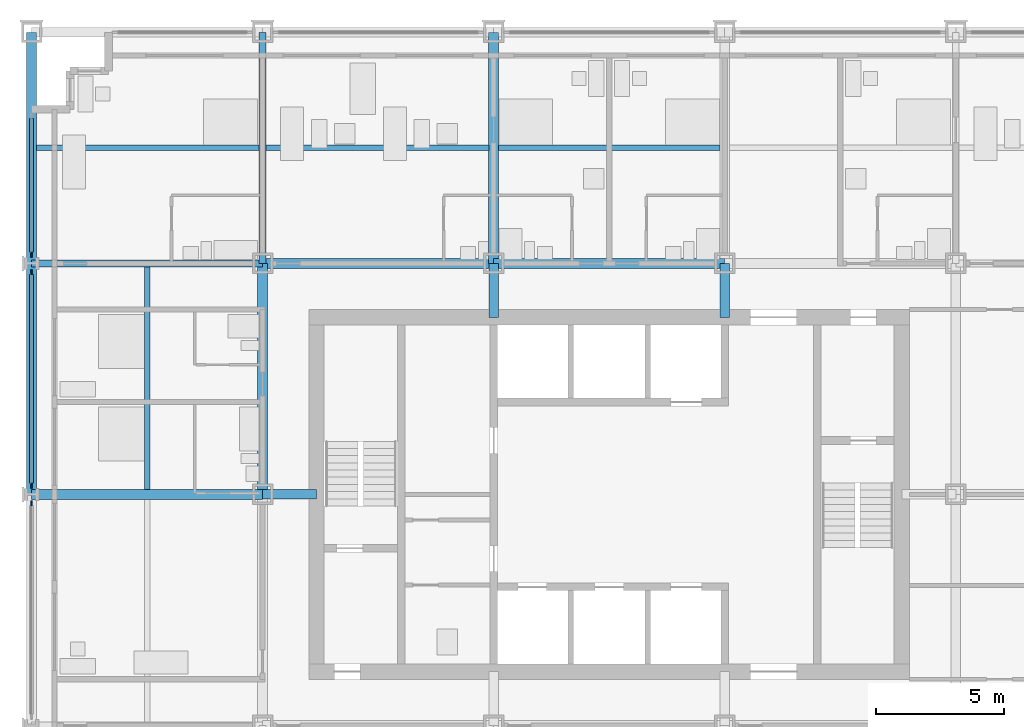
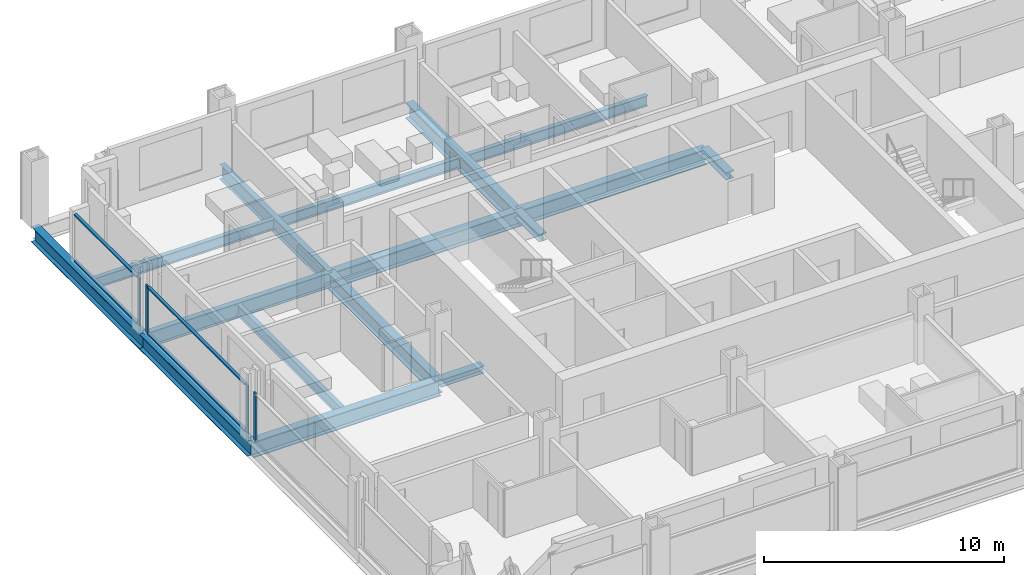
# One storey, part 4 of 18: 13 beams, 11 members, 3 elements without a shape of their own.
"""IFC4 building model written with IfcOpenShell, lengths in metres."""

from ifc_helpers import new_model, si_unit, direction, frame, origin, origin_2d, place, context, subcontext, project, spatial, rectangle, i_section, extrude, material, material_profile, profile_set, type_object, element, aggregate, save


model = new_model("IFC4")

# Units and contexts
model_context = context("Model", 3, precision=1e-05, world=origin(), true_north=direction((0.0, 1.0)))
body_context = subcontext(model_context, "Body", "Model", "MODEL_VIEW")
ifc_project = project(units=[si_unit("LENGTHUNIT", "METRE"), si_unit("AREAUNIT", "SQUARE_METRE"), si_unit("VOLUMEUNIT", "CUBIC_METRE"), si_unit("PLANEANGLEUNIT", "RADIAN"), si_unit("MASSUNIT", "GRAM", prefix="KILO")], contexts=[model_context])

# Site, building, storey
site_placement = place(None, origin())
site = spatial("IfcSite", under=ifc_project, at=site_placement, CompositionType="ELEMENT")
building_placement = place(site_placement, origin())
building = spatial("IfcBuilding", under=site, at=building_placement, Name="Loomwork Tower", CompositionType="ELEMENT")
storey_placement = place(building_placement, frame((0.0, 0.0, 48.39990234375)))
storey = spatial("IfcBuildingStorey", under=building, at=storey_placement, Name="L11", CompositionType="ELEMENT", Elevation=48.39990234375)

# Beams
ifc_material_1 = material(Name="Steel ASTM A992", Category="steel")
ifc_material_profile_1 = material_profile(ifc_material_1, i_section(OverallWidth=0.383544921875, OverallDepth=0.794921875, WebThickness=0.02099609375, FlangeThickness=0.0380859375, at=origin_2d()), Name="W30x235")
ifc_profile_set_1 = profile_set([ifc_material_profile_1], Name="Steel ASTM A992")
beam_type_1 = type_object("IfcBeamType", Name="CORE FLANK GIRDER W30x235", PredefinedType="BEAM", material=ifc_profile_set_1)
for number, where, z_axis, x_axis, name in (
    (1, (0.0, 18.0, -0.597412109375), (1.0, 0.0, 0.0), (0.0, 1.0, 0.0), "Core Flank Girder F/2-F/3 L11"),
    (2, (9.0, 27.0, -0.597412109375), (1.0, 0.0, 0.0), (0.0, 1.0, 0.0), "Core Flank Girder G/3-G/4 L11"),
    (3, (18.0, 27.0, -0.597412109375), (1.0, 0.0, 0.0), (0.0, 1.0, 0.0), "Core Flank Girder G/4-G/5 L11"),
    (4, (9.0, 18.0, -0.597412109375), (0.0, 1.0, 0.0), (-1.0, 0.0, 0.0), "Core Flank Girder F/3-G/3 L11"),
    (5, (18.0, 27.0, -0.597412109375), (0.0, 1.0, 0.0), (-1.0, 0.0, 0.0), "Core Flank Girder G/4-H/4 L11"),
):
    element("IfcBeam", number, at=place(storey_placement, frame(where, z_axis=z_axis, x_axis=x_axis)), inside=storey, type_object=beam_type_1, Name=name, PredefinedType="BEAM", context=body_context, shape_type="SweptSolid", body=[
        extrude(i_section(OverallWidth=0.383544921875, OverallDepth=0.794921875, WebThickness=0.02099609375, FlangeThickness=0.0380859375, at=origin_2d()), origin(), (0.0, 0.0, 1.0), 9.0),
    ])

# Members
ifc_material_2 = material(Name="Steel ASTM A992", Category="steel")
ifc_material_profile_2 = material_profile(ifc_material_2, i_section(OverallWidth=0.373291015625, OverallDepth=0.373291015625, WebThickness=0.016357421875, FlangeThickness=0.026123046875, at=origin_2d()), Name="W14x132")
ifc_profile_set_2 = profile_set([ifc_material_profile_2], Name="Steel ASTM A992")
member_type_1 = type_object("IfcMemberType", Name="CORE LINK STRUT W14x132", PredefinedType="STRUT", material=ifc_profile_set_2)
for number, where, z_axis, x_axis, name in (
    (6, (27.0, 27.0, -0.386474609375), (0.0, -1.0, 0.0), (1.0, 0.0, 0.0), "Core link strut G/5-27.000,24.900 L11"),
    (7, (18.0, 27.0, -0.386474609375), (0.0, -1.0, 0.0), (1.0, 0.0, 0.0), "Core link strut G/4-18.000,24.900 L11"),
    (8, (9.0, 18.0, -0.386474609375), (1.0, 0.0, 0.0), (0.0, 1.0, 0.0), "Core link strut F/3-11.100,18.000 L11"),
):
    element("IfcMember", number, at=place(storey_placement, frame(where, z_axis=z_axis, x_axis=x_axis)), inside=storey, type_object=member_type_1, Name=name, PredefinedType="STRUT", context=body_context, shape_type="SweptSolid", body=[
        extrude(i_section(OverallWidth=0.373291015625, OverallDepth=0.373291015625, WebThickness=0.016357421875, FlangeThickness=0.026123046875, at=origin_2d()), origin(), (0.0, 0.0, 1.0), 2.10009765625),
    ])

# Beams
ifc_material_3 = material(Name="Steel ASTM A992", Category="steel")
ifc_material_profile_3 = material_profile(ifc_material_3, i_section(OverallWidth=0.2666015625, OverallDepth=0.761962890625, WebThickness=0.014404296875, FlangeThickness=0.021484375, at=origin_2d()), Name="W30x116")
ifc_profile_set_3 = profile_set([ifc_material_profile_3], Name="Steel ASTM A992")
beam_type_2 = type_object("IfcBeamType", Name="FLOOR GIRDER W30x116", PredefinedType="BEAM", material=ifc_profile_set_3)
for number, where, z_axis, x_axis, name in (
    (9, (0.0, 27.0, -0.580810546875), (1.0, 0.0, 0.0), (0.0, 1.0, 0.0), "Floor Girder G/2-G/3 L11"),
    (10, (9.0, 27.0, -0.580810546875), (0.0, 1.0, 0.0), (-1.0, 0.0, 0.0), "Floor Girder G/3-H/3 L11"),
):
    element("IfcBeam", number, at=place(storey_placement, frame(where, z_axis=z_axis, x_axis=x_axis)), inside=storey, type_object=beam_type_2, Name=name, PredefinedType="BEAM", context=body_context, shape_type="SweptSolid", body=[
        extrude(i_section(OverallWidth=0.2666015625, OverallDepth=0.761962890625, WebThickness=0.014404296875, FlangeThickness=0.021484375, at=origin_2d()), origin(), (0.0, 0.0, 1.0), 9.0),
    ])
ifc_material_4 = material(Name="Steel ASTM A992", Category="steel")
ifc_material_profile_4 = material_profile(ifc_material_4, i_section(OverallWidth=0.2109375, OverallDepth=0.53857421875, WebThickness=0.011474609375, FlangeThickness=0.018798828125, at=origin_2d()), Name="W21x73")
ifc_profile_set_4 = profile_set([ifc_material_profile_4], Name="Steel ASTM A992")
beam_type_3 = type_object("IfcBeamType", Name="FLOOR JOIST W21x73", PredefinedType="JOIST", material=ifc_profile_set_4)
beam_1_placement = place(storey_placement, frame((4.5, 18.19091796875, -0.46923828125), z_axis=(0.0, 1.0, 0.0), x_axis=(-1.0, 0.0, 0.0)))
element("IfcBeam", 11, at=beam_1_placement, inside=storey, type_object=beam_type_3, Name="Floor Joist 4.500,18.000-4.500,27.000 L11", PredefinedType="JOIST", context=body_context, shape_type="SweptSolid", body=[
    extrude(i_section(OverallWidth=0.2109375, OverallDepth=0.53857421875, WebThickness=0.011474609375, FlangeThickness=0.018798828125, at=origin_2d()), origin(), (0.0, 0.0, 1.0), 8.676025390625),
])
beam_2_placement = place(storey_placement, frame((0.18994140625, 31.5, -0.46923828125), z_axis=(1.0, 0.0, 0.0), x_axis=(0.0, 1.0, 0.0)))
element("IfcBeam", 12, at=beam_2_placement, inside=storey, type_object=beam_type_3, Name="Floor Joist 0.000,31.500-9.000,31.500 L11", PredefinedType="JOIST", context=body_context, shape_type="SweptSolid", body=[
    extrude(i_section(OverallWidth=0.2109375, OverallDepth=0.53857421875, WebThickness=0.011474609375, FlangeThickness=0.018798828125, at=origin_2d()), origin(), (0.0, 0.0, 1.0), 8.677001953125),
])
beam_3_placement = place(storey_placement, frame((9.133056640625, 31.5, -0.46923828125), z_axis=(1.0, 0.0, 0.0), x_axis=(0.0, 1.0, 0.0)))
element("IfcBeam", 13, at=beam_3_placement, inside=storey, type_object=beam_type_3, Name="Floor Joist 9.000,31.500-18.000,31.500 L11", PredefinedType="JOIST", context=body_context, shape_type="SweptSolid", body=[
    extrude(i_section(OverallWidth=0.2109375, OverallDepth=0.53857421875, WebThickness=0.011474609375, FlangeThickness=0.018798828125, at=origin_2d()), origin(), (0.0, 0.0, 1.0), 8.676025390625),
])
beam_4_placement = place(storey_placement, frame((18.19091796875, 31.5, -0.46923828125), z_axis=(1.0, 0.0, 0.0), x_axis=(0.0, 1.0, 0.0)))
element("IfcBeam", 14, at=beam_4_placement, inside=storey, type_object=beam_type_3, Name="Floor Joist 18.000,31.500-27.000,31.500 L11", PredefinedType="JOIST", context=body_context, shape_type="SweptSolid", body=[
    extrude(i_section(OverallWidth=0.2109375, OverallDepth=0.53857421875, WebThickness=0.011474609375, FlangeThickness=0.018798828125, at=origin_2d()), origin(), (0.0, 0.0, 1.0), 8.6181640625),
])

# Curtain wall, member
ifc_material_5 = material(Name="Aluminium curtain wall frame", Category="aluminium")
curtain_wall_type = type_object("IfcCurtainWallType", Name="Outer skin glazing hotel", PredefinedType="NOTDEFINED", material=ifc_material_5)
curtain_wall_1_placement = place(storey_placement, origin())
curtain_wall_1 = element("IfcCurtainWall", 15, at=curtain_wall_1_placement, inside=storey, type_object=curtain_wall_type, Name="Outer skin glazing hotel cw/W-9", PredefinedType="NOTDEFINED")
ifc_material_6 = material(Name="Aluminium curtain wall frame", Category="aluminium")
ifc_material_profile_5 = material_profile(ifc_material_6, rectangle(XDim=0.06494140625, YDim=0.199951171875, at=origin_2d()), Name="AL 65x200")
ifc_profile_set_5 = profile_set([ifc_material_profile_5], Name="Aluminium curtain wall frame")
member_type_2 = type_object("IfcMemberType", Name="Outer skin glazing hotel mullion", PredefinedType="MULLION", material=ifc_profile_set_5)
member_1_placement = place(storey_placement, frame((0.0, 17.6611328125, 0.0), z_axis=(0.0, 0.0, 1.0), x_axis=(1.0, 0.0, 0.0)))
member_1 = element("IfcMember", 16, at=member_1_placement, type_object=member_type_2, Name="CW1 mullion 1", PredefinedType="MULLION", context=body_context, shape_type="SweptSolid", body=[
    extrude(rectangle(XDim=0.06494140625, YDim=0.199951171875, at=origin_2d()), origin(), (0.0, 0.0, 1.0), 2.42041015625),
])
aggregate(curtain_wall_1, [member_1])

# Curtain wall, members
curtain_wall_2_placement = place(storey_placement, origin())
curtain_wall_2 = element("IfcCurtainWall", 17, at=curtain_wall_2_placement, inside=storey, type_object=curtain_wall_type, Name="Outer skin glazing hotel cw/W-18", PredefinedType="NOTDEFINED")
member_2_placement = place(storey_placement, frame((0.0, 26.6611328125, 0.0), z_axis=(0.0, 0.0, 1.0), x_axis=(1.0, 0.0, 0.0)))
member_2 = element("IfcMember", 18, at=member_2_placement, type_object=member_type_2, Name="CW1 mullion 1", PredefinedType="MULLION", context=body_context, shape_type="SweptSolid", body=[
    extrude(rectangle(XDim=0.06494140625, YDim=0.199951171875, at=origin_2d()), origin(), (0.0, 0.0, 1.0), 2.42041015625),
])
member_3_placement = place(storey_placement, frame((0.0, 18.3388671875, 0.0), z_axis=(0.0, 0.0, 1.0), x_axis=(1.0, 0.0, 0.0)))
member_3 = element("IfcMember", 19, at=member_3_placement, type_object=member_type_2, Name="CW1 mullion 2", PredefinedType="MULLION", context=body_context, shape_type="SweptSolid", body=[
    extrude(rectangle(XDim=0.06494140625, YDim=0.199951171875, at=origin_2d()), origin(), (0.0, 0.0, 1.0), 2.42041015625),
])

# Curtain wall, member
curtain_wall_3_placement = place(storey_placement, origin())
curtain_wall_3 = element("IfcCurtainWall", 20, at=curtain_wall_3_placement, inside=storey, type_object=curtain_wall_type, Name="Outer skin glazing hotel cw/W-27", PredefinedType="NOTDEFINED")
member_4_placement = place(storey_placement, frame((0.0, 27.3388671875, 0.0), z_axis=(0.0, 0.0, 1.0), x_axis=(1.0, 0.0, 0.0)))
member_4 = element("IfcMember", 21, at=member_4_placement, type_object=member_type_2, Name="CW1 mullion 2", PredefinedType="MULLION", context=body_context, shape_type="SweptSolid", body=[
    extrude(rectangle(XDim=0.06494140625, YDim=0.199951171875, at=origin_2d()), origin(), (0.0, 0.0, 1.0), 2.42041015625),
])

# Member
ifc_material_7 = material(Name="Aluminium curtain wall frame", Category="aluminium")
ifc_material_profile_6 = material_profile(ifc_material_7, rectangle(XDim=0.14990234375, YDim=0.06494140625, at=origin_2d()), Name="AL 65x150")
ifc_profile_set_6 = profile_set([ifc_material_profile_6], Name="Aluminium curtain wall frame")
member_type_3 = type_object("IfcMemberType", Name="Outer skin glazing hotel transom", PredefinedType="USERDEFINED", material=ifc_profile_set_6)
member_5_placement = place(storey_placement, frame((0.0, 26.561279296875, 0.03271484375), z_axis=(0.0, -1.0, 0.0), x_axis=(1.0, 0.0, 0.0)))
member_5 = element("IfcMember", 22, at=member_5_placement, type_object=member_type_3, Name="CW1 transom 1.1", ObjectType="TRANSOM", PredefinedType="USERDEFINED", context=body_context, shape_type="SweptSolid", body=[
    extrude(rectangle(XDim=0.14990234375, YDim=0.06494140625, at=origin_2d()), origin(), (0.0, 0.0, 1.0), 8.12255859375),
])

member_6_placement = place(storey_placement, frame((0.0, 26.561279296875, 2.3876953125), z_axis=(0.0, -1.0, 0.0), x_axis=(1.0, 0.0, 0.0)))
member_6 = element("IfcMember", 23, at=member_6_placement, type_object=member_type_3, Name="CW1 transom 1.2", ObjectType="TRANSOM", PredefinedType="USERDEFINED", context=body_context, shape_type="SweptSolid", body=[
    extrude(rectangle(XDim=0.14990234375, YDim=0.06494140625, at=origin_2d()), origin(), (0.0, 0.0, 1.0), 8.12255859375),
])

aggregate(curtain_wall_2, [member_2, member_3, member_5, member_6])

member_7_placement = place(storey_placement, frame((0.0, 32.64990234375, 0.03271484375), z_axis=(0.0, -1.0, 0.0), x_axis=(1.0, 0.0, 0.0)))
member_7 = element("IfcMember", 24, at=member_7_placement, type_object=member_type_3, Name="CW1 transom 1.1", ObjectType="TRANSOM", PredefinedType="USERDEFINED", context=body_context, shape_type="SweptSolid", body=[
    extrude(rectangle(XDim=0.14990234375, YDim=0.06494140625, at=origin_2d()), origin(), (0.0, 0.0, 1.0), 5.211181640625),
])

member_8_placement = place(storey_placement, frame((0.0, 32.64990234375, 2.3876953125), z_axis=(0.0, -1.0, 0.0), x_axis=(1.0, 0.0, 0.0)))
member_8 = element("IfcMember", 25, at=member_8_placement, type_object=member_type_3, Name="CW1 transom 1.2", ObjectType="TRANSOM", PredefinedType="USERDEFINED", context=body_context, shape_type="SweptSolid", body=[
    extrude(rectangle(XDim=0.14990234375, YDim=0.06494140625, at=origin_2d()), origin(), (0.0, 0.0, 1.0), 5.211181640625),
])

aggregate(curtain_wall_3, [member_4, member_7, member_8])

# Beams
ifc_material_8 = material(Name="Steel ASTM A992", Category="steel")
ifc_material_profile_7 = material_profile(ifc_material_8, i_section(OverallWidth=0.381103515625, OverallDepth=0.77978515625, WebThickness=0.01806640625, FlangeThickness=0.0302734375, at=origin_2d()), Name="W30x191")
ifc_profile_set_7 = profile_set([ifc_material_profile_7], Name="Steel ASTM A992")
beam_type_4 = type_object("IfcBeamType", Name="SPANDREL GIRDER W30x191", PredefinedType="SPANDREL", material=ifc_profile_set_7)
for number, where, z_axis, x_axis, name in (
    (26, (0.0, 18.0, -0.58984375), (0.0, 1.0, 0.0), (-1.0, 0.0, 0.0), "Spandrel Girder F/2-G/2 L11"),
    (27, (0.0, 27.0, -0.58984375), (0.0, 1.0, 0.0), (-1.0, 0.0, 0.0), "Spandrel Girder G/2-H/2 L11"),
):
    element("IfcBeam", number, at=place(storey_placement, frame(where, z_axis=z_axis, x_axis=x_axis)), inside=storey, type_object=beam_type_4, Name=name, PredefinedType="SPANDREL", context=body_context, shape_type="SweptSolid", body=[
        extrude(i_section(OverallWidth=0.381103515625, OverallDepth=0.77978515625, WebThickness=0.01806640625, FlangeThickness=0.0302734375, at=origin_2d()), origin(), (0.0, 0.0, 1.0), 9.0),
    ])

save(model, "model.ifc")
